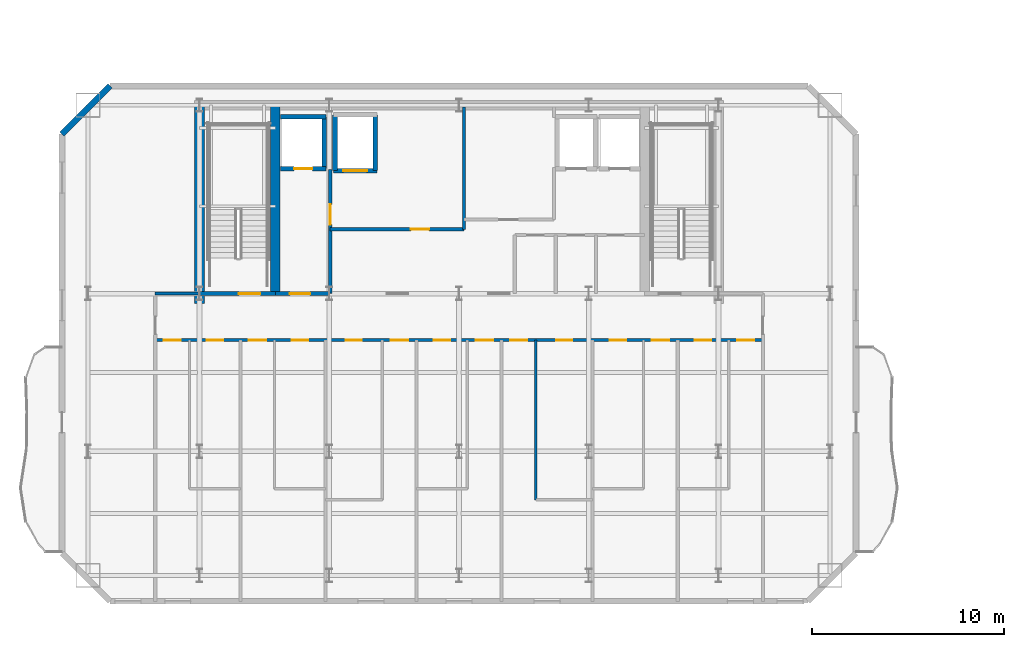
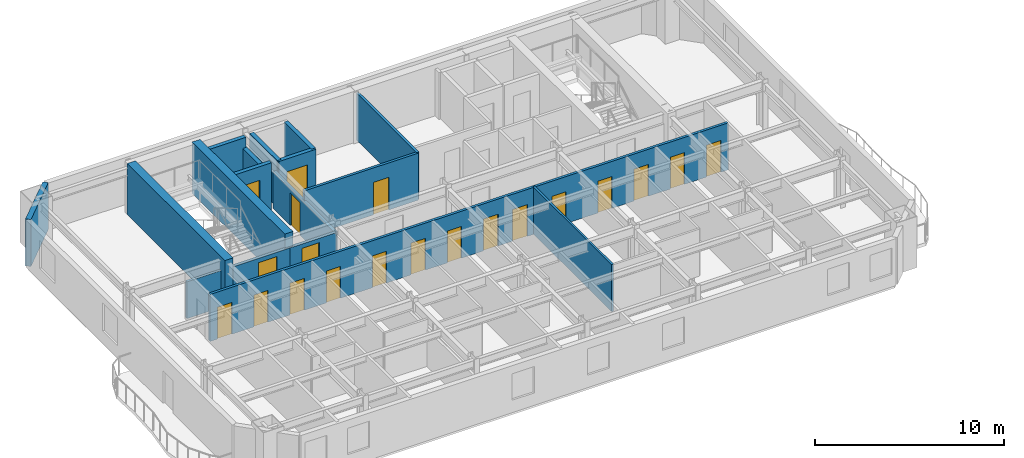
# One storey, part 6 of 14: 20 doors, 17 walls, 20 openings.
"""IFC4 building model written with IfcOpenShell, lengths in metres."""

from ifc_helpers import new_model, si_unit, direction, frame, frame_2d, origin, place, context, subcontext, project, spatial, rectangle, extrude, material, layer, layer_set, type_object, element, fill, save


model = new_model("IFC4")

# Units and contexts
model_context = context("Model", 3, precision=1e-05, world=origin(), true_north=direction((0.0, 1.0)))
body_context = subcontext(model_context, "Body", "Model", "MODEL_VIEW")
ifc_project = project(units=[si_unit("LENGTHUNIT", "METRE"), si_unit("AREAUNIT", "SQUARE_METRE"), si_unit("VOLUMEUNIT", "CUBIC_METRE"), si_unit("PLANEANGLEUNIT", "RADIAN"), si_unit("MASSUNIT", "GRAM", prefix="KILO")], contexts=[model_context])

# Site, building, storey
site_placement = place(None, origin())
site = spatial("IfcSite", under=ifc_project, at=site_placement, CompositionType="ELEMENT")
building_placement = place(site_placement, origin())
building = spatial("IfcBuilding", under=site, at=building_placement, Name="Haevon Station Towers", CompositionType="ELEMENT")
storey_placement = place(building_placement, frame((0.0, 0.0, 179.10009765625)))
storey = spatial("IfcBuildingStorey", under=building, at=storey_placement, Name="L49", CompositionType="ELEMENT", Elevation=179.10009765625)

# Wall, opening, door
ifc_material_1 = material(Name="Gypsum board on steel stud", Category="steel")
ifc_layer_1 = layer(ifc_material_1, 0.199951171875)
ifc_layer_set_1 = layer_set([ifc_layer_1], Name="Gypsum board on steel stud")
wall_type_1 = type_object("IfcWallType", Name="WL-COR200", PredefinedType="PARTITIONING", material=ifc_layer_set_1)
wall_1_placement = place(storey_placement, frame((24.0, 38.199951171875, 0.0), z_axis=(0.0, 0.0, 1.0), x_axis=(1.0, 0.0, 0.0)))
wall_1 = element("IfcWall", 1, at=wall_1_placement, inside=storey, type_object=wall_type_1, Name="WL-ST-ST1-L49", PredefinedType="PARTITIONING", context=body_context, shape_type="SweptSolid", body=[
    extrude(rectangle(XDim=3.949951171875, YDim=0.199951171875, at=frame_2d((1.97509765625, 0.0))), origin(), (0.0, 0.0, 1.0), 2.3798828125),
])
opening_1_placement = place(wall_1_placement, frame((2.050048828125, 0.0, 0.0)))
opening_1 = element("IfcOpeningElement", 2, at=opening_1_placement, cuts=wall_1, Name="Opening DR-ST-ST1-L49", PredefinedType="OPENING", context=body_context, shape_type="SweptSolid", body=[
    extrude(rectangle(XDim=1.1201171875, YDim=2.10009765625, at=frame_2d((0.56005859375, 1.050048828125))), frame((0.0, 0.10986328125, 0.0), z_axis=(0.0, -1.0, 0.0), x_axis=(1.0, 0.0, 0.0)), (0.0, 0.0, 1.0), 0.219970703125),
])
ifc_material_2 = material(Name="Engineered oak timber", Category="wood")
door_type_1 = type_object("IfcDoorType", Name="DR-ST-1120", OperationType="NOTDEFINED", PredefinedType="DOOR", material=ifc_material_2)
door_1_placement = place(opening_1_placement, origin())
door_1 = element("IfcDoor", 3, at=door_1_placement, inside=storey, type_object=door_type_1, Name="L49 Escape Stair ST1 Fire Door", OperationType="SINGLE_SWING_RIGHT", OverallHeight=2.10009765625, OverallWidth=1.1201171875, PredefinedType="DOOR", context=body_context, shape_type="SweptSolid", body=[
    extrude(rectangle(XDim=1.1201171875, YDim=2.10009765625, at=frame_2d((0.56005859375, 1.050048828125))), frame((0.0, 0.02490234375, 0.0), z_axis=(0.0, -1.0, 0.0), x_axis=(1.0, 0.0, 0.0)), (0.0, 0.0, 1.0), 0.050048828125),
])
fill(opening_1, door_1)

wall_2_placement = place(storey_placement, frame((30.800048828125, 38.199951171875, 0.0), z_axis=(0.0, 0.0, 1.0), x_axis=(0.0, 1.0, 0.0)))
wall_2 = element("IfcWall", 4, at=wall_2_placement, inside=storey, type_object=wall_type_1, Name="WL-T1FFL-L49-E", PredefinedType="PARTITIONING", context=body_context, shape_type="SweptSolid", body=[
    extrude(rectangle(XDim=6.449951171875, YDim=0.199951171875, at=frame_2d((3.22509765625, 0.0))), origin(), (0.0, 0.0, 1.0), 2.3798828125),
])
opening_2_placement = place(wall_2_placement, frame((3.590087890625, 0.0, 0.0)))
opening_2 = element("IfcOpeningElement", 5, at=opening_2_placement, cuts=wall_2, Name="Opening DR-T1FFL-L49-E", PredefinedType="OPENING", context=body_context, shape_type="SweptSolid", body=[
    extrude(rectangle(XDim=1.050048828125, YDim=2.10009765625, at=frame_2d((0.52490234375, 1.050048828125))), frame((0.0, 0.10986328125, 0.0), z_axis=(0.0, -1.0, 0.0), x_axis=(1.0, 0.0, 0.0)), (0.0, 0.0, 1.0), 0.219970703125),
])
door_type_2 = type_object("IfcDoorType", Name="DR-FD60-1050", OperationType="NOTDEFINED", PredefinedType="DOOR", material=ifc_material_2)
door_2_placement = place(opening_2_placement, origin())
door_2 = element("IfcDoor", 6, at=door_2_placement, inside=storey, type_object=door_type_2, Name="L49 Tower 1 Firefighting Lift Lobby Door E", OperationType="SINGLE_SWING_RIGHT", OverallHeight=2.10009765625, OverallWidth=1.050048828125, PredefinedType="DOOR", context=body_context, shape_type="SweptSolid", body=[
    extrude(rectangle(XDim=1.050048828125, YDim=2.10009765625, at=frame_2d((0.52490234375, 1.050048828125))), frame((0.0, 0.02490234375, 0.0), z_axis=(0.0, -1.0, 0.0), x_axis=(1.0, 0.0, 0.0)), (0.0, 0.0, 1.0), 0.050048828125),
])
fill(opening_2, door_2)

wall_3_placement = place(storey_placement, frame((27.949951171875, 38.199951171875, 0.0), z_axis=(0.0, 0.0, 1.0), x_axis=(1.0, 0.0, 0.0)))
wall_3 = element("IfcWall", 7, at=wall_3_placement, inside=storey, type_object=wall_type_1, Name="WL-T1FFL-L49-S", PredefinedType="PARTITIONING", context=body_context, shape_type="SweptSolid", body=[
    extrude(rectangle(XDim=2.85009765625, YDim=0.199951171875, at=frame_2d((1.425048828125, 0.0))), origin(), (0.0, 0.0, 1.0), 2.3798828125),
])
opening_3_placement = place(wall_3_placement, frame((0.75, 0.0, 0.0)))
opening_3 = element("IfcOpeningElement", 8, at=opening_3_placement, cuts=wall_3, Name="Opening DR-T1FFL-L49-S", PredefinedType="OPENING", context=body_context, shape_type="SweptSolid", body=[
    extrude(rectangle(XDim=1.050048828125, YDim=2.10009765625, at=frame_2d((0.52490234375, 1.050048828125))), frame((0.0, 0.10986328125, 0.0), z_axis=(0.0, -1.0, 0.0), x_axis=(1.0, 0.0, 0.0)), (0.0, 0.0, 1.0), 0.219970703125),
])
door_3_placement = place(opening_3_placement, origin())
door_3 = element("IfcDoor", 9, at=door_3_placement, inside=storey, type_object=door_type_2, Name="L49 Tower 1 Firefighting Lift Lobby Door S", OperationType="SINGLE_SWING_LEFT", OverallHeight=2.10009765625, OverallWidth=1.050048828125, PredefinedType="DOOR", context=body_context, shape_type="SweptSolid", body=[
    extrude(rectangle(XDim=1.050048828125, YDim=2.10009765625, at=frame_2d((0.52490234375, 1.050048828125))), frame((0.0, 0.02490234375, 0.0), z_axis=(0.0, -1.0, 0.0), x_axis=(1.0, 0.0, 0.0)), (0.0, 0.0, 1.0), 0.050048828125),
])
fill(opening_3, door_3)

# Walls
ifc_material_3 = material(Name="Concrete C60/75", Category="concrete")
ifc_layer_2 = layer(ifc_material_3, 0.5)
ifc_layer_set_2 = layer_set([ifc_layer_2], Name="Concrete C60/75")
wall_type_2 = type_object("IfcWallType", Name="WL-CR500", PredefinedType="SHEAR", material=ifc_layer_set_2)
wall_4_placement = place(storey_placement, frame((24.0, 37.679931640625, 0.0), z_axis=(0.0, 0.0, 1.0), x_axis=(0.0, 1.0, 0.0)))
element("IfcWall", 10, at=wall_4_placement, inside=storey, type_object=wall_type_2, Name="WL-T1CR-L49-W", PredefinedType="SHEAR", context=body_context, shape_type="SweptSolid", body=[
    extrude(rectangle(XDim=10.320068359375, YDim=0.5, at=frame_2d((5.16015625, 0.0))), origin(), (0.0, 0.0, 1.0), 3.2998046875),
])
wall_5_placement = place(storey_placement, frame((27.949951171875, 38.199951171875, 0.0), z_axis=(0.0, 0.0, 1.0), x_axis=(0.0, 1.0, 0.0)))
element("IfcWall", 11, at=wall_5_placement, inside=storey, type_object=wall_type_2, Name="WL-T1CR-L49-M1", PredefinedType="SHEAR", context=body_context, shape_type="SweptSolid", body=[
    extrude(rectangle(XDim=9.800048828125, YDim=0.5, at=frame_2d((4.89990234375, 0.0))), origin(), (0.0, 0.0, 1.0), 3.2998046875),
])
ifc_material_4 = material(Name="Precast concrete C45/55", Category="concrete")
ifc_layer_3 = layer(ifc_material_4, 0.300048828125)
ifc_layer_set_3 = layer_set([ifc_layer_3], Name="Precast concrete C45/55")
wall_type_3 = type_object("IfcWallType", Name="WL-EXT-PIER300", PredefinedType="SOLIDWALL", material=ifc_layer_set_3)
wall_6_placement = place(storey_placement, frame((16.85009765625, 46.5, 0.0), z_axis=(0.0, 0.0, 1.0), x_axis=(0.707106781187, 0.707106781187, 0.0)))
element("IfcWall", 12, at=wall_6_placement, inside=storey, type_object=wall_type_3, Name="WL-T1-L49-NWC", PredefinedType="SOLIDWALL", context=body_context, shape_type="SweptSolid", body=[
    extrude(rectangle(XDim=3.53564453125, YDim=0.300048828125, at=frame_2d((1.767822265625, 0.0))), origin(), (0.0, 0.0, 1.0), 3.02978515625),
])
ifc_layer_4 = layer(ifc_material_1, 0.125)
ifc_layer_set_4 = layer_set([ifc_layer_4], Name="Gypsum board on steel stud")
wall_type_4 = type_object("IfcWallType", Name="WL-PRT125", PredefinedType="PARTITIONING", material=ifc_layer_set_4)
wall_7_placement = place(storey_placement, frame((41.491943359375, 27.479248046875, 0.0), z_axis=(0.0, 0.0, 1.0), x_axis=(0.0, 1.0, 0.0)))
element("IfcWall", 13, at=wall_7_placement, inside=storey, type_object=wall_type_4, Name="WL-T1PT-L49-18", PredefinedType="PARTITIONING", context=body_context, shape_type="SweptSolid", body=[
    extrude(rectangle(XDim=8.30078125, YDim=0.125, at=frame_2d((4.150390625, 0.0))), origin(), (0.0, 0.0, 1.0), 3.02978515625),
])

# Wall, opening, door
ifc_layer_5 = layer(ifc_material_1, 0.159912109375)
ifc_layer_set_5 = layer_set([ifc_layer_5], Name="Gypsum board on steel stud")
wall_type_5 = type_object("IfcWallType", Name="WL-PRT160", PredefinedType="PARTITIONING", material=ifc_layer_set_5)
wall_8_placement = place(storey_placement, frame((30.800048828125, 41.550048828125, 0.0), z_axis=(0.0, 0.0, 1.0), x_axis=(1.0, 0.0, 0.0)))
wall_8 = element("IfcWall", 14, at=wall_8_placement, inside=storey, type_object=wall_type_5, Name="WL-T1CW-L49-01", PredefinedType="PARTITIONING", context=body_context, shape_type="SweptSolid", body=[
    extrude(rectangle(XDim=6.949951171875, YDim=0.159912109375, at=frame_2d((3.47509765625, 0.0))), origin(), (0.0, 0.0, 1.0), 3.02978515625),
])
opening_4_placement = place(wall_8_placement, frame((4.199951171875, 0.0, 0.0)))
opening_4 = element("IfcOpeningElement", 15, at=opening_4_placement, cuts=wall_8, Name="Opening DR-WL-T1CW-L49-01-1", PredefinedType="OPENING", context=body_context, shape_type="SweptSolid", body=[
    extrude(rectangle(XDim=0.949951171875, YDim=2.10009765625, at=frame_2d((0.47509765625, 1.050048828125))), frame((0.0, 0.08984375, 0.0), z_axis=(0.0, -1.0, 0.0), x_axis=(1.0, 0.0, 0.0)), (0.0, 0.0, 1.0), 0.179931640625),
])
door_type_3 = type_object("IfcDoorType", Name="DR-FD60-950", OperationType="NOTDEFINED", PredefinedType="DOOR", material=ifc_material_2)
door_4_placement = place(opening_4_placement, origin())
door_4 = element("IfcDoor", 16, at=door_4_placement, inside=storey, type_object=door_type_3, Name="L49 Tower 1 Core Room Door 1-1", OperationType="SINGLE_SWING_LEFT", OverallHeight=2.10009765625, OverallWidth=0.949951171875, PredefinedType="DOOR", context=body_context, shape_type="SweptSolid", body=[
    extrude(rectangle(XDim=0.949951171875, YDim=2.10009765625, at=frame_2d((0.47509765625, 1.050048828125))), frame((0.0, 0.02490234375, 0.0), z_axis=(0.0, -1.0, 0.0), x_axis=(1.0, 0.0, 0.0)), (0.0, 0.0, 1.0), 0.050048828125),
])
fill(opening_4, door_4)

# Walls
wall_9_placement = place(storey_placement, frame((37.75, 41.550048828125, 0.0), z_axis=(0.0, 0.0, 1.0), x_axis=(0.0, 1.0, 0.0)))
element("IfcWall", 17, at=wall_9_placement, inside=storey, type_object=wall_type_5, Name="WL-T1CW-L49-02", PredefinedType="PARTITIONING", context=body_context, shape_type="SweptSolid", body=[
    extrude(rectangle(XDim=6.349853515625, YDim=0.159912109375, at=frame_2d((3.1748046875, 0.0))), origin(), (0.0, 0.0, 1.0), 3.02978515625),
])
wall_10_placement = place(storey_placement, frame((21.699951171875, 38.199951171875, 0.0), z_axis=(0.0, 0.0, 1.0), x_axis=(1.0, 0.0, 0.0)))
element("IfcWall", 18, at=wall_10_placement, inside=storey, type_object=wall_type_5, Name="WL-T1PT-L49-01", PredefinedType="PARTITIONING", context=body_context, shape_type="SweptSolid", body=[
    extrude(rectangle(XDim=2.300048828125, YDim=0.159912109375, at=frame_2d((1.14990234375, 0.0))), origin(), (0.0, 0.0, 1.0), 2.3798828125),
])

# Wall, openings, doors
wall_11_placement = place(storey_placement, frame((21.699951171875, 35.780029296875, 0.0), z_axis=(0.0, 0.0, 1.0), x_axis=(1.0, 0.0, 0.0)))
wall_11 = element("IfcWall", 19, at=wall_11_placement, inside=storey, type_object=wall_type_5, Name="WL-T1PT-L49-25", PredefinedType="PARTITIONING", context=body_context, shape_type="SweptSolid", body=[
    extrude(rectangle(XDim=31.60009765625, YDim=0.159912109375, at=frame_2d((15.800048828125, 0.0))), origin(), (0.0, 0.0, 1.0), 3.02978515625),
])
opening_5_placement = place(wall_11_placement, frame((2.677001953125, 0.0, 0.0)))
opening_5 = element("IfcOpeningElement", 20, at=opening_5_placement, cuts=wall_11, Name="Opening DR-WL-T1PT-L49-25-01", PredefinedType="OPENING", context=body_context, shape_type="SweptSolid", body=[
    extrude(rectangle(XDim=0.85009765625, YDim=2.050048828125, at=frame_2d((0.425048828125, 1.02490234375))), frame((0.0, 0.08984375, 0.0), z_axis=(0.0, -1.0, 0.0), x_axis=(1.0, 0.0, 0.0)), (0.0, 0.0, 1.0), 0.179931640625),
])
opening_6_placement = place(wall_11_placement, frame((0.43994140625, 0.0, 0.0)))
opening_6 = element("IfcOpeningElement", 21, at=opening_6_placement, cuts=wall_11, Name="Opening DR-WL-T1PT-L49-25-02", PredefinedType="OPENING", context=body_context, shape_type="SweptSolid", body=[
    extrude(rectangle(XDim=0.89990234375, YDim=2.050048828125, at=frame_2d((0.449951171875, 1.02490234375))), frame((0.0, 0.08984375, 0.0), z_axis=(0.0, -1.0, 0.0), x_axis=(1.0, 0.0, 0.0)), (0.0, 0.0, 1.0), 0.179931640625),
])
opening_7_placement = place(wall_11_placement, frame((7.10107421875, 0.0, 0.0)))
opening_7 = element("IfcOpeningElement", 22, at=opening_7_placement, cuts=wall_11, Name="Opening DR-WL-T1PT-L49-25-03", PredefinedType="OPENING", context=body_context, shape_type="SweptSolid", body=[
    extrude(rectangle(XDim=0.85009765625, YDim=2.050048828125, at=frame_2d((0.425048828125, 1.02490234375))), frame((0.0, 0.08984375, 0.0), z_axis=(0.0, -1.0, 0.0), x_axis=(1.0, 0.0, 0.0)), (0.0, 0.0, 1.0), 0.179931640625),
])
opening_8_placement = place(wall_11_placement, frame((4.864013671875, 0.0, 0.0)))
opening_8 = element("IfcOpeningElement", 23, at=opening_8_placement, cuts=wall_11, Name="Opening DR-WL-T1PT-L49-25-04", PredefinedType="OPENING", context=body_context, shape_type="SweptSolid", body=[
    extrude(rectangle(XDim=0.89990234375, YDim=2.050048828125, at=frame_2d((0.449951171875, 1.02490234375))), frame((0.0, 0.08984375, 0.0), z_axis=(0.0, -1.0, 0.0), x_axis=(1.0, 0.0, 0.0)), (0.0, 0.0, 1.0), 0.179931640625),
])
opening_9_placement = place(wall_11_placement, frame((9.903076171875, 0.0, 0.0)))
opening_9 = element("IfcOpeningElement", 24, at=opening_9_placement, cuts=wall_11, Name="Opening DR-WL-T1PT-L49-25-05", PredefinedType="OPENING", context=body_context, shape_type="SweptSolid", body=[
    extrude(rectangle(XDim=0.85009765625, YDim=2.050048828125, at=frame_2d((0.425048828125, 1.02490234375))), frame((0.0, 0.08984375, 0.0), z_axis=(0.0, -1.0, 0.0), x_axis=(1.0, 0.0, 0.0)), (0.0, 0.0, 1.0), 0.179931640625),
])
opening_10_placement = place(wall_11_placement, frame((12.248046875, 0.0, 0.0)))
opening_10 = element("IfcOpeningElement", 25, at=opening_10_placement, cuts=wall_11, Name="Opening DR-WL-T1PT-L49-25-06", PredefinedType="OPENING", context=body_context, shape_type="SweptSolid", body=[
    extrude(rectangle(XDim=0.89990234375, YDim=2.050048828125, at=frame_2d((0.449951171875, 1.02490234375))), frame((0.0, 0.08984375, 0.0), z_axis=(0.0, -1.0, 0.0), x_axis=(1.0, 0.0, 0.0)), (0.0, 0.0, 1.0), 0.179931640625),
])
opening_11_placement = place(wall_11_placement, frame((14.485107421875, 0.0, 0.0)))
opening_11 = element("IfcOpeningElement", 26, at=opening_11_placement, cuts=wall_11, Name="Opening DR-WL-T1PT-L49-25-07", PredefinedType="OPENING", context=body_context, shape_type="SweptSolid", body=[
    extrude(rectangle(XDim=0.85009765625, YDim=2.050048828125, at=frame_2d((0.425048828125, 1.02490234375))), frame((0.0, 0.08984375, 0.0), z_axis=(0.0, -1.0, 0.0), x_axis=(1.0, 0.0, 0.0)), (0.0, 0.0, 1.0), 0.179931640625),
])
opening_12_placement = place(wall_11_placement, frame((16.672119140625, 0.0, 0.0)))
opening_12 = element("IfcOpeningElement", 27, at=opening_12_placement, cuts=wall_11, Name="Opening DR-WL-T1PT-L49-25-08", PredefinedType="OPENING", context=body_context, shape_type="SweptSolid", body=[
    extrude(rectangle(XDim=0.89990234375, YDim=2.050048828125, at=frame_2d((0.449951171875, 1.02490234375))), frame((0.0, 0.08984375, 0.0), z_axis=(0.0, -1.0, 0.0), x_axis=(1.0, 0.0, 0.0)), (0.0, 0.0, 1.0), 0.179931640625),
])
opening_13_placement = place(wall_11_placement, frame((20.846923828125, 0.0, 0.0)))
opening_13 = element("IfcOpeningElement", 28, at=opening_13_placement, cuts=wall_11, Name="Opening DR-WL-T1PT-L49-25-09", PredefinedType="OPENING", context=body_context, shape_type="SweptSolid", body=[
    extrude(rectangle(XDim=0.85009765625, YDim=2.050048828125, at=frame_2d((0.425048828125, 1.02490234375))), frame((0.0, 0.08984375, 0.0), z_axis=(0.0, -1.0, 0.0), x_axis=(1.0, 0.0, 0.0)), (0.0, 0.0, 1.0), 0.179931640625),
])
opening_14_placement = place(wall_11_placement, frame((18.451904296875, 0.0, 0.0)))
opening_14 = element("IfcOpeningElement", 29, at=opening_14_placement, cuts=wall_11, Name="Opening DR-WL-T1PT-L49-25-10", PredefinedType="OPENING", context=body_context, shape_type="SweptSolid", body=[
    extrude(rectangle(XDim=0.89990234375, YDim=2.050048828125, at=frame_2d((0.449951171875, 1.02490234375))), frame((0.0, 0.08984375, 0.0), z_axis=(0.0, -1.0, 0.0), x_axis=(1.0, 0.0, 0.0)), (0.0, 0.0, 1.0), 0.179931640625),
])
opening_15_placement = place(wall_11_placement, frame((23.64892578125, 0.0, 0.0)))
opening_15 = element("IfcOpeningElement", 30, at=opening_15_placement, cuts=wall_11, Name="Opening DR-WL-T1PT-L49-25-11", PredefinedType="OPENING", context=body_context, shape_type="SweptSolid", body=[
    extrude(rectangle(XDim=0.85009765625, YDim=2.050048828125, at=frame_2d((0.425048828125, 1.02490234375))), frame((0.0, 0.08984375, 0.0), z_axis=(0.0, -1.0, 0.0), x_axis=(1.0, 0.0, 0.0)), (0.0, 0.0, 1.0), 0.179931640625),
])
opening_16_placement = place(wall_11_placement, frame((25.8359375, 0.0, 0.0)))
opening_16 = element("IfcOpeningElement", 31, at=opening_16_placement, cuts=wall_11, Name="Opening DR-WL-T1PT-L49-25-12", PredefinedType="OPENING", context=body_context, shape_type="SweptSolid", body=[
    extrude(rectangle(XDim=0.89990234375, YDim=2.050048828125, at=frame_2d((0.449951171875, 1.02490234375))), frame((0.0, 0.08984375, 0.0), z_axis=(0.0, -1.0, 0.0), x_axis=(1.0, 0.0, 0.0)), (0.0, 0.0, 1.0), 0.179931640625),
])
opening_17_placement = place(wall_11_placement, frame((28.072998046875, 0.0, 0.0)))
opening_17 = element("IfcOpeningElement", 32, at=opening_17_placement, cuts=wall_11, Name="Opening DR-WL-T1PT-L49-25-13", PredefinedType="OPENING", context=body_context, shape_type="SweptSolid", body=[
    extrude(rectangle(XDim=0.85009765625, YDim=2.050048828125, at=frame_2d((0.425048828125, 1.02490234375))), frame((0.0, 0.08984375, 0.0), z_axis=(0.0, -1.0, 0.0), x_axis=(1.0, 0.0, 0.0)), (0.0, 0.0, 1.0), 0.179931640625),
])
opening_18_placement = place(wall_11_placement, frame((30.260009765625, 0.0, 0.0)))
opening_18 = element("IfcOpeningElement", 33, at=opening_18_placement, cuts=wall_11, Name="Opening DR-WL-T1PT-L49-25-14", PredefinedType="OPENING", context=body_context, shape_type="SweptSolid", body=[
    extrude(rectangle(XDim=0.89990234375, YDim=2.050048828125, at=frame_2d((0.449951171875, 1.02490234375))), frame((0.0, 0.08984375, 0.0), z_axis=(0.0, -1.0, 0.0), x_axis=(1.0, 0.0, 0.0)), (0.0, 0.0, 1.0), 0.179931640625),
])
door_type_4 = type_object("IfcDoorType", Name="DR-FD30-850", OperationType="NOTDEFINED", PredefinedType="DOOR", material=ifc_material_2)
door_5_placement = place(opening_5_placement, origin())
door_5 = element("IfcDoor", 34, at=door_5_placement, inside=storey, type_object=door_type_4, Name="L49 Tower 1 Room Door 25-1", OperationType="SINGLE_SWING_RIGHT", OverallHeight=2.050048828125, OverallWidth=0.85009765625, PredefinedType="DOOR", context=body_context, shape_type="SweptSolid", body=[
    extrude(rectangle(XDim=0.85009765625, YDim=2.050048828125, at=frame_2d((0.425048828125, 1.02490234375))), frame((0.0, 0.02490234375, 0.0), z_axis=(0.0, -1.0, 0.0), x_axis=(1.0, 0.0, 0.0)), (0.0, 0.0, 1.0), 0.050048828125),
])
fill(opening_5, door_5)
door_6_placement = place(opening_7_placement, origin())
door_6 = element("IfcDoor", 35, at=door_6_placement, inside=storey, type_object=door_type_4, Name="L49 Tower 1 Room Door 25-3", OperationType="SINGLE_SWING_RIGHT", OverallHeight=2.050048828125, OverallWidth=0.85009765625, PredefinedType="DOOR", context=body_context, shape_type="SweptSolid", body=[
    extrude(rectangle(XDim=0.85009765625, YDim=2.050048828125, at=frame_2d((0.425048828125, 1.02490234375))), frame((0.0, 0.02490234375, 0.0), z_axis=(0.0, -1.0, 0.0), x_axis=(1.0, 0.0, 0.0)), (0.0, 0.0, 1.0), 0.050048828125),
])
fill(opening_7, door_6)
door_7_placement = place(opening_9_placement, origin())
door_7 = element("IfcDoor", 36, at=door_7_placement, inside=storey, type_object=door_type_4, Name="L49 Tower 1 Room Door 25-5", OperationType="SINGLE_SWING_RIGHT", OverallHeight=2.050048828125, OverallWidth=0.85009765625, PredefinedType="DOOR", context=body_context, shape_type="SweptSolid", body=[
    extrude(rectangle(XDim=0.85009765625, YDim=2.050048828125, at=frame_2d((0.425048828125, 1.02490234375))), frame((0.0, 0.02490234375, 0.0), z_axis=(0.0, -1.0, 0.0), x_axis=(1.0, 0.0, 0.0)), (0.0, 0.0, 1.0), 0.050048828125),
])
fill(opening_9, door_7)
door_8_placement = place(opening_11_placement, origin())
door_8 = element("IfcDoor", 37, at=door_8_placement, inside=storey, type_object=door_type_4, Name="L49 Tower 1 Room Door 25-7", OperationType="SINGLE_SWING_RIGHT", OverallHeight=2.050048828125, OverallWidth=0.85009765625, PredefinedType="DOOR", context=body_context, shape_type="SweptSolid", body=[
    extrude(rectangle(XDim=0.85009765625, YDim=2.050048828125, at=frame_2d((0.425048828125, 1.02490234375))), frame((0.0, 0.02490234375, 0.0), z_axis=(0.0, -1.0, 0.0), x_axis=(1.0, 0.0, 0.0)), (0.0, 0.0, 1.0), 0.050048828125),
])
fill(opening_11, door_8)
door_9_placement = place(opening_13_placement, origin())
door_9 = element("IfcDoor", 38, at=door_9_placement, inside=storey, type_object=door_type_4, Name="L49 Tower 1 Room Door 25-9", OperationType="SINGLE_SWING_RIGHT", OverallHeight=2.050048828125, OverallWidth=0.85009765625, PredefinedType="DOOR", context=body_context, shape_type="SweptSolid", body=[
    extrude(rectangle(XDim=0.85009765625, YDim=2.050048828125, at=frame_2d((0.425048828125, 1.02490234375))), frame((0.0, 0.02490234375, 0.0), z_axis=(0.0, -1.0, 0.0), x_axis=(1.0, 0.0, 0.0)), (0.0, 0.0, 1.0), 0.050048828125),
])
fill(opening_13, door_9)
door_10_placement = place(opening_15_placement, origin())
door_10 = element("IfcDoor", 39, at=door_10_placement, inside=storey, type_object=door_type_4, Name="L49 Tower 1 Room Door 25-11", OperationType="SINGLE_SWING_RIGHT", OverallHeight=2.050048828125, OverallWidth=0.85009765625, PredefinedType="DOOR", context=body_context, shape_type="SweptSolid", body=[
    extrude(rectangle(XDim=0.85009765625, YDim=2.050048828125, at=frame_2d((0.425048828125, 1.02490234375))), frame((0.0, 0.02490234375, 0.0), z_axis=(0.0, -1.0, 0.0), x_axis=(1.0, 0.0, 0.0)), (0.0, 0.0, 1.0), 0.050048828125),
])
fill(opening_15, door_10)
door_11_placement = place(opening_17_placement, origin())
door_11 = element("IfcDoor", 40, at=door_11_placement, inside=storey, type_object=door_type_4, Name="L49 Tower 1 Room Door 25-13", OperationType="SINGLE_SWING_RIGHT", OverallHeight=2.050048828125, OverallWidth=0.85009765625, PredefinedType="DOOR", context=body_context, shape_type="SweptSolid", body=[
    extrude(rectangle(XDim=0.85009765625, YDim=2.050048828125, at=frame_2d((0.425048828125, 1.02490234375))), frame((0.0, 0.02490234375, 0.0), z_axis=(0.0, -1.0, 0.0), x_axis=(1.0, 0.0, 0.0)), (0.0, 0.0, 1.0), 0.050048828125),
])
fill(opening_17, door_11)
door_type_5 = type_object("IfcDoorType", Name="DR-INT-900", OperationType="NOTDEFINED", PredefinedType="DOOR", material=ifc_material_2)
door_12_placement = place(opening_6_placement, origin())
door_12 = element("IfcDoor", 41, at=door_12_placement, inside=storey, type_object=door_type_5, Name="L49 Tower 1 Room Door 25-2", OperationType="SINGLE_SWING_LEFT", OverallHeight=2.050048828125, OverallWidth=0.89990234375, PredefinedType="DOOR", context=body_context, shape_type="SweptSolid", body=[
    extrude(rectangle(XDim=0.89990234375, YDim=2.050048828125, at=frame_2d((0.449951171875, 1.02490234375))), frame((0.0, 0.02490234375, 0.0), z_axis=(0.0, -1.0, 0.0), x_axis=(1.0, 0.0, 0.0)), (0.0, 0.0, 1.0), 0.050048828125),
])
fill(opening_6, door_12)
door_13_placement = place(opening_8_placement, origin())
door_13 = element("IfcDoor", 42, at=door_13_placement, inside=storey, type_object=door_type_5, Name="L49 Tower 1 Room Door 25-4", OperationType="SINGLE_SWING_LEFT", OverallHeight=2.050048828125, OverallWidth=0.89990234375, PredefinedType="DOOR", context=body_context, shape_type="SweptSolid", body=[
    extrude(rectangle(XDim=0.89990234375, YDim=2.050048828125, at=frame_2d((0.449951171875, 1.02490234375))), frame((0.0, 0.02490234375, 0.0), z_axis=(0.0, -1.0, 0.0), x_axis=(1.0, 0.0, 0.0)), (0.0, 0.0, 1.0), 0.050048828125),
])
fill(opening_8, door_13)
door_14_placement = place(opening_10_placement, origin())
door_14 = element("IfcDoor", 43, at=door_14_placement, inside=storey, type_object=door_type_5, Name="L49 Tower 1 Room Door 25-6", OperationType="SINGLE_SWING_LEFT", OverallHeight=2.050048828125, OverallWidth=0.89990234375, PredefinedType="DOOR", context=body_context, shape_type="SweptSolid", body=[
    extrude(rectangle(XDim=0.89990234375, YDim=2.050048828125, at=frame_2d((0.449951171875, 1.02490234375))), frame((0.0, 0.02490234375, 0.0), z_axis=(0.0, -1.0, 0.0), x_axis=(1.0, 0.0, 0.0)), (0.0, 0.0, 1.0), 0.050048828125),
])
fill(opening_10, door_14)
door_15_placement = place(opening_12_placement, origin())
door_15 = element("IfcDoor", 44, at=door_15_placement, inside=storey, type_object=door_type_5, Name="L49 Tower 1 Room Door 25-8", OperationType="SINGLE_SWING_LEFT", OverallHeight=2.050048828125, OverallWidth=0.89990234375, PredefinedType="DOOR", context=body_context, shape_type="SweptSolid", body=[
    extrude(rectangle(XDim=0.89990234375, YDim=2.050048828125, at=frame_2d((0.449951171875, 1.02490234375))), frame((0.0, 0.02490234375, 0.0), z_axis=(0.0, -1.0, 0.0), x_axis=(1.0, 0.0, 0.0)), (0.0, 0.0, 1.0), 0.050048828125),
])
fill(opening_12, door_15)
door_16_placement = place(opening_14_placement, origin())
door_16 = element("IfcDoor", 45, at=door_16_placement, inside=storey, type_object=door_type_5, Name="L49 Tower 1 Room Door 25-10", OperationType="SINGLE_SWING_LEFT", OverallHeight=2.050048828125, OverallWidth=0.89990234375, PredefinedType="DOOR", context=body_context, shape_type="SweptSolid", body=[
    extrude(rectangle(XDim=0.89990234375, YDim=2.050048828125, at=frame_2d((0.449951171875, 1.02490234375))), frame((0.0, 0.02490234375, 0.0), z_axis=(0.0, -1.0, 0.0), x_axis=(1.0, 0.0, 0.0)), (0.0, 0.0, 1.0), 0.050048828125),
])
fill(opening_14, door_16)
door_17_placement = place(opening_16_placement, origin())
door_17 = element("IfcDoor", 46, at=door_17_placement, inside=storey, type_object=door_type_5, Name="L49 Tower 1 Room Door 25-12", OperationType="SINGLE_SWING_LEFT", OverallHeight=2.050048828125, OverallWidth=0.89990234375, PredefinedType="DOOR", context=body_context, shape_type="SweptSolid", body=[
    extrude(rectangle(XDim=0.89990234375, YDim=2.050048828125, at=frame_2d((0.449951171875, 1.02490234375))), frame((0.0, 0.02490234375, 0.0), z_axis=(0.0, -1.0, 0.0), x_axis=(1.0, 0.0, 0.0)), (0.0, 0.0, 1.0), 0.050048828125),
])
fill(opening_16, door_17)
door_18_placement = place(opening_18_placement, origin())
door_18 = element("IfcDoor", 47, at=door_18_placement, inside=storey, type_object=door_type_5, Name="L49 Tower 1 Room Door 25-14", OperationType="SINGLE_SWING_LEFT", OverallHeight=2.050048828125, OverallWidth=0.89990234375, PredefinedType="DOOR", context=body_context, shape_type="SweptSolid", body=[
    extrude(rectangle(XDim=0.89990234375, YDim=2.050048828125, at=frame_2d((0.449951171875, 1.02490234375))), frame((0.0, 0.02490234375, 0.0), z_axis=(0.0, -1.0, 0.0), x_axis=(1.0, 0.0, 0.0)), (0.0, 0.0, 1.0), 0.050048828125),
])
fill(opening_18, door_18)

# Wall, opening, door
ifc_material_5 = material(Name="Concrete C40/50", Category="concrete")
ifc_layer_6 = layer(ifc_material_5, 0.239990234375)
ifc_layer_set_6 = layer_set([ifc_layer_6], Name="Concrete C40/50")
wall_type_6 = type_object("IfcWallType", Name="WL-SHF240", PredefinedType="PARTITIONING", material=ifc_layer_set_6)
wall_12_placement = place(storey_placement, frame((28.219970703125, 44.699951171875, 0.0), z_axis=(0.0, 0.0, 1.0), x_axis=(1.0, 0.0, 0.0)))
wall_12 = element("IfcWall", 48, at=wall_12_placement, inside=storey, type_object=wall_type_6, Name="WL-SHF-FL1-L49", PredefinedType="PARTITIONING", context=body_context, shape_type="SweptSolid", body=[
    extrude(rectangle(XDim=2.360107421875, YDim=0.239990234375, at=frame_2d((1.18017578125, 0.0))), origin(), (0.0, 0.0, 1.0), 3.02978515625),
])
opening_19_placement = place(wall_12_placement, frame((0.705078125, 0.0, 0.0)))
opening_19 = element("IfcOpeningElement", 49, at=opening_19_placement, cuts=wall_12, Name="Opening LD-FL1-L49", PredefinedType="OPENING", context=body_context, shape_type="SweptSolid", body=[
    extrude(rectangle(XDim=0.949951171875, YDim=2.14990234375, at=frame_2d((0.47509765625, 1.074951171875))), frame((0.0, 0.1298828125, 0.0), z_axis=(0.0, -1.0, 0.0), x_axis=(1.0, 0.0, 0.0)), (0.0, 0.0, 1.0), 0.260009765625),
])
ifc_material_6 = material(Name="Stainless steel and rated core", Category="steel")
door_type_6 = type_object("IfcDoorType", Name="LD-FL950", OperationType="SLIDING_TO_LEFT", PredefinedType="DOOR", material=ifc_material_6)
door_19_placement = place(opening_19_placement, origin())
door_19 = element("IfcDoor", 50, at=door_19_placement, inside=storey, type_object=door_type_6, Name="L49 Lift FL1 Sliding Landing Door", OperationType="SLIDING_TO_LEFT", OverallHeight=2.14990234375, OverallWidth=0.949951171875, PredefinedType="DOOR", context=body_context, shape_type="SweptSolid", body=[
    extrude(rectangle(XDim=0.949951171875, YDim=2.14990234375, at=frame_2d((0.47509765625, 1.074951171875))), frame((0.0, 0.02490234375, 0.0), z_axis=(0.0, -1.0, 0.0), x_axis=(1.0, 0.0, 0.0)), (0.0, 0.0, 1.0), 0.050048828125),
])
fill(opening_19, door_19)

# Walls
wall_13_placement = place(storey_placement, frame((28.219970703125, 47.39990234375, 0.0), z_axis=(0.0, 0.0, 1.0), x_axis=(1.0, 0.0, 0.0)))
element("IfcWall", 51, at=wall_13_placement, inside=storey, type_object=wall_type_6, Name="WL-SHF-FL1-L49-N", PredefinedType="PARTITIONING", context=body_context, shape_type="SweptSolid", body=[
    extrude(rectangle(XDim=2.360107421875, YDim=0.239990234375, at=frame_2d((1.18017578125, 0.0))), origin(), (0.0, 0.0, 1.0), 3.02978515625),
])
wall_14_placement = place(storey_placement, frame((30.5, 44.699951171875, 0.0), z_axis=(0.0, 0.0, 1.0), x_axis=(0.0, 1.0, 0.0)))
element("IfcWall", 52, at=wall_14_placement, inside=storey, type_object=wall_type_6, Name="WL-SHF-FL1-L49-E", PredefinedType="PARTITIONING", context=body_context, shape_type="SweptSolid", body=[
    extrude(rectangle(XDim=2.699951171875, YDim=0.239990234375, at=frame_2d((1.35009765625, 0.0))), origin(), (0.0, 0.0, 1.0), 2.3798828125),
])

# Wall, opening, door
wall_15_placement = place(storey_placement, frame((30.969970703125, 44.60009765625, 0.0), z_axis=(0.0, 0.0, 1.0), x_axis=(1.0, 0.0, 0.0)))
wall_15 = element("IfcWall", 53, at=wall_15_placement, inside=storey, type_object=wall_type_6, Name="WL-SHF-SL1-L49", PredefinedType="PARTITIONING", context=body_context, shape_type="SweptSolid", body=[
    extrude(rectangle(XDim=2.260009765625, YDim=0.239990234375, at=frame_2d((1.1298828125, 0.0))), origin(), (0.0, 0.0, 1.0), 3.02978515625),
])
opening_20_placement = place(wall_15_placement, frame((0.5048828125, 0.0, 0.0)))
opening_20 = element("IfcOpeningElement", 54, at=opening_20_placement, cuts=wall_15, Name="Opening LD-SL1-L49", PredefinedType="OPENING", context=body_context, shape_type="SweptSolid", body=[
    extrude(rectangle(XDim=1.25, YDim=2.199951171875, at=frame_2d((0.625, 1.10009765625))), frame((0.0, 0.1298828125, 0.0), z_axis=(0.0, -1.0, 0.0), x_axis=(1.0, 0.0, 0.0)), (0.0, 0.0, 1.0), 0.260009765625),
])
door_type_7 = type_object("IfcDoorType", Name="LD-SL1250", OperationType="SLIDING_TO_LEFT", PredefinedType="DOOR", material=ifc_material_6)
door_20_placement = place(opening_20_placement, origin())
door_20 = element("IfcDoor", 55, at=door_20_placement, inside=storey, type_object=door_type_7, Name="L49 Lift SL1 Sliding Landing Door", OperationType="SLIDING_TO_LEFT", OverallHeight=2.199951171875, OverallWidth=1.25, PredefinedType="DOOR", context=body_context, shape_type="SweptSolid", body=[
    extrude(rectangle(XDim=1.25, YDim=2.199951171875, at=frame_2d((0.625, 1.10009765625))), frame((0.0, 0.02490234375, 0.0), z_axis=(0.0, -1.0, 0.0), x_axis=(1.0, 0.0, 0.0)), (0.0, 0.0, 1.0), 0.050048828125),
])
fill(opening_20, door_20)

# Walls
for number, where, z_axis, x_axis, name in (
    (56, (31.050048828125, 44.60009765625, 0.0), (0.0, 0.0, 1.0), (0.0, 1.0, 0.0), "WL-SHF-SL1-L49-W"),
    (57, (33.14990234375, 44.60009765625, 0.0), (0.0, 0.0, 1.0), (0.0, 1.0, 0.0), "WL-SHF-SL1-L49-E"),
):
    element("IfcWall", number, at=place(storey_placement, frame(where, z_axis=z_axis, x_axis=x_axis)), inside=storey, type_object=wall_type_6, Name=name, PredefinedType="PARTITIONING", context=body_context, shape_type="SweptSolid", body=[
        extrude(rectangle(XDim=2.89990234375, YDim=0.239990234375, at=frame_2d((1.449951171875, 0.0))), origin(), (0.0, 0.0, 1.0), 3.02978515625),
    ])

save(model, "model.ifc")
